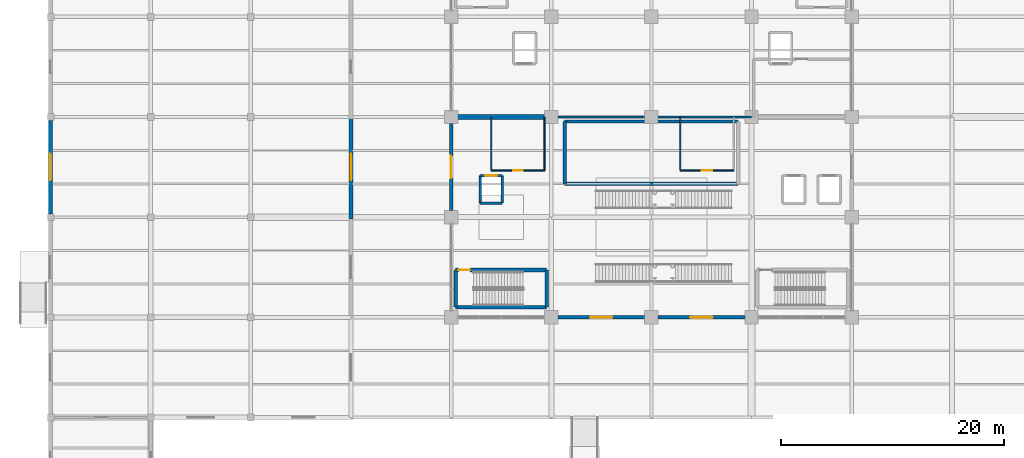
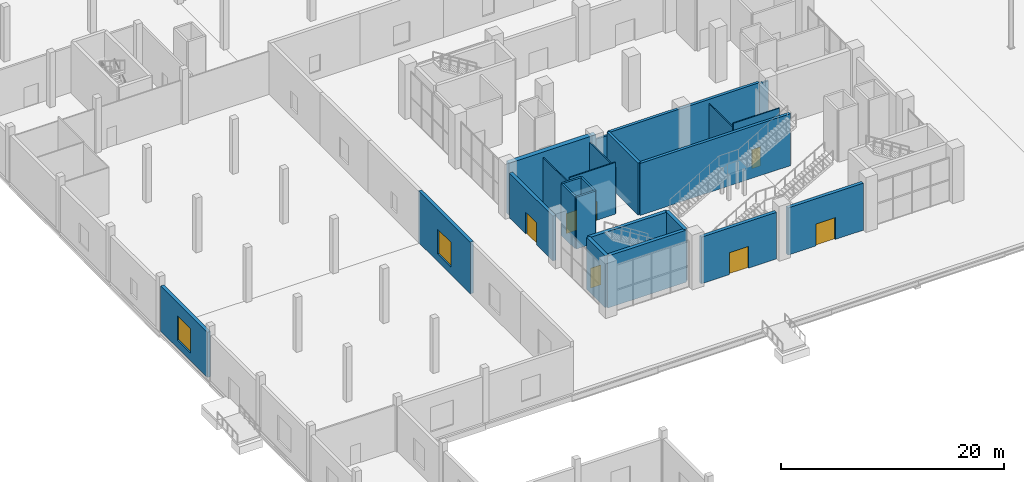
# One storey, part 124 of 144: 24 walls, 7 doors, 2 windows, 9 openings.
"""IFC4 building model written with IfcOpenShell, lengths in metres."""

from ifc_helpers import new_model, si_unit, direction, frame, frame_2d, origin, place, context, subcontext, project, spatial, rectangle, extrude, material, layer, layer_set, type_object, element, fill, save


model = new_model("IFC4")

# Units and contexts
model_context = context("Model", 3, precision=1e-05, world=origin(), true_north=direction((0.0, 1.0)))
body_context = subcontext(model_context, "Body", "Model", "MODEL_VIEW")
ifc_project = project(units=[si_unit("LENGTHUNIT", "METRE"), si_unit("AREAUNIT", "SQUARE_METRE"), si_unit("VOLUMEUNIT", "CUBIC_METRE"), si_unit("PLANEANGLEUNIT", "RADIAN"), si_unit("MASSUNIT", "GRAM", prefix="KILO")], contexts=[model_context])

# Site, building, storey
site_placement = place(None, origin())
site = spatial("IfcSite", under=ifc_project, at=site_placement, CompositionType="ELEMENT")
building_placement = place(site_placement, origin())
building = spatial("IfcBuilding", under=site, at=building_placement, Name="Sundgate Opera House", CompositionType="ELEMENT")
storey_placement = place(building_placement, origin())
storey = spatial("IfcBuildingStorey", under=building, at=storey_placement, Name="L00", CompositionType="ELEMENT", Elevation=0.0)

# Wall
ifc_material_1 = material(Name="Concrete C40/50", Category="concrete")
ifc_layer_1 = layer(ifc_material_1, 0.35009765625)
ifc_layer_set_1 = layer_set([ifc_layer_1], Name="Concrete C40/50")
wall_type_1 = type_object("IfcWallType", Name="WL-CORE-350", PredefinedType="SHEAR", material=ifc_layer_set_1)
wall_1_placement = place(storey_placement, frame((36.409912109375, 42.909912109375, 0.0), z_axis=(0.0, 0.0, 1.0), x_axis=(1.0, 0.0, 0.0)))
element("IfcWall", 1, at=wall_1_placement, inside=storey, type_object=wall_type_1, Name="L00 C1 South Shaft Wall", PredefinedType="SHEAR", context=body_context, shape_type="SweptSolid", body=[
    extrude(rectangle(XDim=8.18017578125, YDim=0.35009765625, at=frame_2d((4.090087890625, 0.0))), origin(), (0.0, 0.0, 1.0), 5.699951171875),
])

# Wall, opening, door
wall_2_placement = place(storey_placement, frame((36.409912109375, 46.239990234375, 0.0), z_axis=(0.0, 0.0, 1.0), x_axis=(1.0, 0.0, 0.0)))
wall_2 = element("IfcWall", 2, at=wall_2_placement, inside=storey, type_object=wall_type_1, Name="L00 C1 North Shaft Wall", PredefinedType="SHEAR", context=body_context, shape_type="SweptSolid", body=[
    extrude(rectangle(XDim=8.18017578125, YDim=0.35009765625, at=frame_2d((4.090087890625, 0.0))), origin(), (0.0, 0.0, 1.0), 5.699951171875),
])
opening_1_placement = place(wall_2_placement, frame((0.239990234375, 0.0, 0.0)))
opening_1 = element("IfcOpeningElement", 3, at=opening_1_placement, cuts=wall_2, Name="Opening DI01", PredefinedType="OPENING", context=body_context, shape_type="SweptSolid", body=[
    extrude(rectangle(XDim=1.050048828125, YDim=2.179931640625, at=frame_2d((0.52490234375, 1.08984375))), frame((0.0, 0.18505859375, 0.0), z_axis=(0.0, -1.0, 0.0), x_axis=(1.0, 0.0, 0.0)), (0.0, 0.0, 1.0), 0.3701171875),
])
ifc_material_2 = material(Name="Acoustic hardwood timber and steel core", Category="steel")
door_type_1 = type_object("IfcDoorType", Name="DR-STAIR-1050x2180", OperationType="NOTDEFINED", PredefinedType="DOOR", material=ifc_material_2)
door_1_placement = place(opening_1_placement, origin())
door_1 = element("IfcDoor", 4, at=door_1_placement, inside=storey, type_object=door_type_1, Name="L00 C1 Stair Door D0026", OperationType="SINGLE_SWING_RIGHT", OverallHeight=2.179931640625, OverallWidth=1.050048828125, PredefinedType="DOOR", context=body_context, shape_type="SweptSolid", body=[
    extrude(rectangle(XDim=1.050048828125, YDim=2.179931640625, at=frame_2d((0.52490234375, 1.08984375))), frame((0.0, 0.02490234375, 0.0), z_axis=(0.0, -1.0, 0.0), x_axis=(1.0, 0.0, 0.0)), (0.0, 0.0, 1.0), 0.050048828125),
])
fill(opening_1, door_1)

# Walls
for number, where, z_axis, x_axis, name in (
    (5, (36.409912109375, 42.909912109375, 0.0), (0.0, 0.0, 1.0), (0.0, 1.0, 0.0), "L00 C1 West Shaft Wall"),
    (6, (44.590087890625, 42.909912109375, 0.0), (0.0, 0.0, 1.0), (0.0, 1.0, 0.0), "L00 C1 East Shaft Wall"),
):
    element("IfcWall", number, at=place(storey_placement, frame(where, z_axis=z_axis, x_axis=x_axis)), inside=storey, type_object=wall_type_1, Name=name, PredefinedType="SHEAR", context=body_context, shape_type="SweptSolid", body=[
        extrude(rectangle(XDim=3.330078125, YDim=0.35009765625, at=frame_2d((1.6650390625, 0.0))), origin(), (0.0, 0.0, 1.0), 5.699951171875),
    ])

# Wall, opening, door
ifc_material_3 = material(Name="Komstad limestone ashlar masonry", Category="masonry")
ifc_layer_2 = layer(ifc_material_3, 0.340087890625)
ifc_layer_set_2 = layer_set([ifc_layer_2], Name="Komstad limestone ashlar masonry")
wall_type_2 = type_object("IfcWallType", Name="WL-EXT-COLON-340", PredefinedType="SOLIDWALL", material=ifc_layer_set_2)
wall_3_placement = place(storey_placement, frame((53.405029296875, 42.0, 0.0), z_axis=(0.0, 0.0, 1.0), x_axis=(-1.0, 0.0, 0.0)))
wall_3 = element("IfcWall", 7, at=wall_3_placement, inside=storey, type_object=wall_type_2, Name="L00 Foyer South Portal W0036", PredefinedType="SOLIDWALL", context=body_context, shape_type="SweptSolid", body=[
    extrude(rectangle(XDim=7.81005859375, YDim=0.340087890625, at=frame_2d((3.905029296875, 0.0))), origin(), (0.0, 0.0, 1.0), 5.114990234375),
])
opening_2_placement = place(wall_3_placement, frame((2.905029296875, 0.0, 0.0)))
opening_2 = element("IfcOpeningElement", 8, at=opening_2_placement, cuts=wall_3, Name="Opening DE1", PredefinedType="OPENING", context=body_context, shape_type="SweptSolid", body=[
    extrude(rectangle(XDim=2.0, YDim=2.39990234375, at=frame_2d((1.0, 1.199951171875))), frame((0.0, 0.179931640625, 0.0), z_axis=(0.0, -1.0, 0.0), x_axis=(1.0, 0.0, 0.0)), (0.0, 0.0, 1.0), 0.360107421875),
])
ifc_material_4 = material(Name="Patinated bronze and laminated safety glass", Category="glass")
door_type_2 = type_object("IfcDoorType", Name="DR-EXIT-2000x2400", OperationType="NOTDEFINED", PredefinedType="DOOR", material=ifc_material_4)
door_2_placement = place(opening_2_placement, origin())
door_2 = element("IfcDoor", 9, at=door_2_placement, inside=storey, type_object=door_type_2, Name="L00 Final Exit Door E1", OperationType="DOUBLE_DOOR_SINGLE_SWING", OverallHeight=2.39990234375, OverallWidth=2.0, PredefinedType="DOOR", context=body_context, shape_type="SweptSolid", body=[
    extrude(rectangle(XDim=2.0, YDim=2.39990234375, at=frame_2d((1.0, 1.199951171875))), frame((0.0, 0.02490234375, 0.0), z_axis=(0.0, -1.0, 0.0), x_axis=(1.0, 0.0, 0.0)), (0.0, 0.0, 1.0), 0.050048828125),
])
fill(opening_2, door_2)

wall_4_placement = place(storey_placement, frame((62.405029296875, 42.0, 0.0), z_axis=(0.0, 0.0, 1.0), x_axis=(-1.0, 0.0, 0.0)))
wall_4 = element("IfcWall", 10, at=wall_4_placement, inside=storey, type_object=wall_type_2, Name="L00 Foyer South Portal W0037", PredefinedType="SOLIDWALL", context=body_context, shape_type="SweptSolid", body=[
    extrude(rectangle(XDim=7.81005859375, YDim=0.340087890625, at=frame_2d((3.905029296875, 0.0))), origin(), (0.0, 0.0, 1.0), 5.1650390625),
])
opening_3_placement = place(wall_4_placement, frame((2.905029296875, 0.0, 0.0)))
opening_3 = element("IfcOpeningElement", 11, at=opening_3_placement, cuts=wall_4, Name="Opening DE1", PredefinedType="OPENING", context=body_context, shape_type="SweptSolid", body=[
    extrude(rectangle(XDim=2.0, YDim=2.39990234375, at=frame_2d((1.0, 1.199951171875))), frame((0.0, 0.179931640625, 0.0), z_axis=(0.0, -1.0, 0.0), x_axis=(1.0, 0.0, 0.0)), (0.0, 0.0, 1.0), 0.360107421875),
])
door_3_placement = place(opening_3_placement, origin())
door_3 = element("IfcDoor", 12, at=door_3_placement, inside=storey, type_object=door_type_2, Name="L00 Final Exit Door E2", OperationType="DOUBLE_DOOR_SINGLE_SWING", OverallHeight=2.39990234375, OverallWidth=2.0, PredefinedType="DOOR", context=body_context, shape_type="SweptSolid", body=[
    extrude(rectangle(XDim=2.0, YDim=2.39990234375, at=frame_2d((1.0, 1.199951171875))), frame((0.0, 0.02490234375, 0.0), z_axis=(0.0, -1.0, 0.0), x_axis=(1.0, 0.0, 0.0)), (0.0, 0.0, 1.0), 0.050048828125),
])
fill(opening_3, door_3)

wall_5_placement = place(storey_placement, frame((36.0, 59.405029296875, 0.0), z_axis=(0.0, 0.0, 1.0), x_axis=(0.0, -1.0, 0.0)))
wall_5 = element("IfcWall", 13, at=wall_5_placement, inside=storey, type_object=wall_type_2, Name="L00 Foyer West Portal W0040", PredefinedType="SOLIDWALL", context=body_context, shape_type="SweptSolid", body=[
    extrude(rectangle(XDim=7.81005859375, YDim=0.340087890625, at=frame_2d((3.905029296875, 0.0))), origin(), (0.0, 0.0, 1.0), 4.9150390625),
])
opening_4_placement = place(wall_5_placement, frame((2.905029296875, 0.0, 0.0)))
opening_4 = element("IfcOpeningElement", 14, at=opening_4_placement, cuts=wall_5, Name="Opening DE1", PredefinedType="OPENING", context=body_context, shape_type="SweptSolid", body=[
    extrude(rectangle(XDim=2.0, YDim=2.39990234375, at=frame_2d((1.0, 1.199951171875))), frame((0.0, 0.179931640625, 0.0), z_axis=(0.0, -1.0, 0.0), x_axis=(1.0, 0.0, 0.0)), (0.0, 0.0, 1.0), 0.360107421875),
])
door_4_placement = place(opening_4_placement, origin())
door_4 = element("IfcDoor", 15, at=door_4_placement, inside=storey, type_object=door_type_2, Name="L00 Final Exit Door E5", OperationType="DOUBLE_DOOR_SINGLE_SWING", OverallHeight=2.39990234375, OverallWidth=2.0, PredefinedType="DOOR", context=body_context, shape_type="SweptSolid", body=[
    extrude(rectangle(XDim=2.0, YDim=2.39990234375, at=frame_2d((1.0, 1.199951171875))), frame((0.0, 0.02490234375, 0.0), z_axis=(0.0, -1.0, 0.0), x_axis=(1.0, 0.0, 0.0)), (0.0, 0.0, 1.0), 0.050048828125),
])
fill(opening_4, door_4)

# Wall, opening, window
wall_6_placement = place(storey_placement, frame((0.0, 51.294921875, 0.0), z_axis=(0.0, 0.0, 1.0), x_axis=(0.0, 1.0, 0.0)))
wall_6 = element("IfcWall", 16, at=wall_6_placement, inside=storey, type_object=wall_type_2, Name="L00 Harbour Bistro West Wall W0314", PredefinedType="SOLIDWALL", context=body_context, shape_type="SweptSolid", body=[
    extrude(rectangle(XDim=8.41015625, YDim=0.340087890625, at=frame_2d((4.205078125, 0.0))), origin(), (0.0, 0.0, 1.0), 4.965087890625),
])
opening_5_placement = place(wall_6_placement, frame((3.0048828125, 0.0, 0.85009765625)))
opening_5 = element("IfcOpeningElement", 17, at=opening_5_placement, cuts=wall_6, Name="Opening W07", PredefinedType="OPENING", context=body_context, shape_type="SweptSolid", body=[
    extrude(rectangle(XDim=2.39990234375, YDim=2.699951171875, at=frame_2d((1.199951171875, 1.35009765625))), frame((0.0, 0.179931640625, 0.0), z_axis=(0.0, -1.0, 0.0), x_axis=(1.0, 0.0, 0.0)), (0.0, 0.0, 1.0), 0.360107421875),
])
ifc_material_5 = material(Name="Low-iron triple glazing in patinated bronze frame", Category="glass")
window_type = type_object("IfcWindowType", Name="WN-HARB-2400x2700", PartitioningType="SINGLE_PANEL", PredefinedType="WINDOW", material=ifc_material_5)
window_1_placement = place(opening_5_placement, origin())
window_1 = element("IfcWindow", 18, at=window_1_placement, inside=storey, type_object=window_type, Name="L00 Harbour Window WN0231", OverallHeight=2.699951171875, OverallWidth=2.39990234375, PartitioningType="SINGLE_PANEL", PredefinedType="WINDOW", context=body_context, shape_type="SweptSolid", body=[
    extrude(rectangle(XDim=2.39990234375, YDim=2.699951171875, at=frame_2d((1.199951171875, 1.35009765625))), frame((0.0, 0.030029296875, 0.0), z_axis=(0.0, -1.0, 0.0), x_axis=(1.0, 0.0, 0.0)), (0.0, 0.0, 1.0), 0.06005859375),
])
fill(opening_5, window_1)

wall_7_placement = place(storey_placement, frame((27.0, 50.840087890625, 0.0), z_axis=(0.0, 0.0, 1.0), x_axis=(0.0, 1.0, 0.0)))
wall_7 = element("IfcWall", 19, at=wall_7_placement, inside=storey, type_object=wall_type_2, Name="L00 Harbour Bistro East Wall W0319", PredefinedType="SOLIDWALL", context=body_context, shape_type="SweptSolid", body=[
    extrude(rectangle(XDim=9.31982421875, YDim=0.340087890625, at=frame_2d((4.659912109375, 0.0))), origin(), (0.0, 0.0, 1.0), 5.6650390625),
])
opening_6_placement = place(wall_7_placement, frame((3.4599609375, 0.0, 0.85009765625)))
opening_6 = element("IfcOpeningElement", 20, at=opening_6_placement, cuts=wall_7, Name="Opening W07", PredefinedType="OPENING", context=body_context, shape_type="SweptSolid", body=[
    extrude(rectangle(XDim=2.39990234375, YDim=2.699951171875, at=frame_2d((1.199951171875, 1.35009765625))), frame((0.0, 0.179931640625, 0.0), z_axis=(0.0, -1.0, 0.0), x_axis=(1.0, 0.0, 0.0)), (0.0, 0.0, 1.0), 0.360107421875),
])
window_2_placement = place(opening_6_placement, origin())
window_2 = element("IfcWindow", 21, at=window_2_placement, inside=storey, type_object=window_type, Name="L00 Harbour Window WN0236", OverallHeight=2.699951171875, OverallWidth=2.39990234375, PartitioningType="SINGLE_PANEL", PredefinedType="WINDOW", context=body_context, shape_type="SweptSolid", body=[
    extrude(rectangle(XDim=2.39990234375, YDim=2.699951171875, at=frame_2d((1.199951171875, 1.35009765625))), frame((0.0, 0.030029296875, 0.0), z_axis=(0.0, -1.0, 0.0), x_axis=(1.0, 0.0, 0.0)), (0.0, 0.0, 1.0), 0.06005859375),
])
fill(opening_6, window_2)

# Walls
ifc_material_6 = material(Name="Fire-rated corridor partition", Category="gypsum")
ifc_layer_3 = layer(ifc_material_6, 0.199951171875)
ifc_layer_set_3 = layer_set([ifc_layer_3], Name="Fire-rated corridor partition")
wall_type_3 = type_object("IfcWallType", Name="WL-INT-FIRE-200", PredefinedType="PARTITIONING", material=ifc_layer_set_3)
wall_8_placement = place(storey_placement, frame((45.0, 60.0, 0.0), z_axis=(0.0, 0.0, 1.0), x_axis=(1.0, 0.0, 0.0)))
element("IfcWall", 22, at=wall_8_placement, inside=storey, type_object=wall_type_3, Name="L00 Interior Partition W0994", PredefinedType="PARTITIONING", context=body_context, shape_type="SweptSolid", body=[
    extrude(rectangle(XDim=11.60009765625, YDim=0.199951171875, at=frame_2d((5.800048828125, 0.0))), origin(), (0.0, 0.0, 1.0), 5.06494140625),
])
wall_9_placement = place(storey_placement, frame((56.60009765625, 60.0, 0.0), z_axis=(0.0, 0.0, 1.0), x_axis=(1.0, 0.0, 0.0)))
element("IfcWall", 23, at=wall_9_placement, inside=storey, type_object=wall_type_3, Name="L00 Interior Partition W0995", PredefinedType="PARTITIONING", context=body_context, shape_type="SweptSolid", body=[
    extrude(rectangle(XDim=6.39990234375, YDim=0.199951171875, at=frame_2d((3.199951171875, 0.0))), origin(), (0.0, 0.0, 1.0), 5.22509765625),
])
ifc_material_7 = material(Name="Fire-rated gypsum and mineral-wool shaft partition", Category="gypsum")
ifc_layer_4 = layer(ifc_material_7, 0.219970703125)
ifc_layer_set_4 = layer_set([ifc_layer_4], Name="Fire-rated gypsum and mineral-wool shaft partition")
wall_type_4 = type_object("IfcWallType", Name="WL-INT-FIRE-220", PredefinedType="PARTITIONING", material=ifc_layer_set_4)
wall_10_placement = place(storey_placement, frame((38.610107421875, 52.260009765625, 0.0), z_axis=(0.0, 0.0, 1.0), x_axis=(1.0, 0.0, 0.0)))
element("IfcWall", 24, at=wall_10_placement, inside=storey, type_object=wall_type_4, Name="L00 LF-03 South Shaft Wall", PredefinedType="PARTITIONING", context=body_context, shape_type="SweptSolid", body=[
    extrude(rectangle(XDim=1.97998046875, YDim=0.219970703125, at=frame_2d((0.989990234375, 0.0))), origin(), (0.0, 0.0, 1.0), 5.6650390625),
])

# Wall, opening, door
wall_11_placement = place(storey_placement, frame((38.610107421875, 54.739990234375, 0.0), z_axis=(0.0, 0.0, 1.0), x_axis=(1.0, 0.0, 0.0)))
wall_11 = element("IfcWall", 25, at=wall_11_placement, inside=storey, type_object=wall_type_4, Name="L00 LF-03 North Shaft Wall", PredefinedType="PARTITIONING", context=body_context, shape_type="SweptSolid", body=[
    extrude(rectangle(XDim=1.97998046875, YDim=0.219970703125, at=frame_2d((0.989990234375, 0.0))), origin(), (0.0, 0.0, 1.0), 5.6650390625),
])
opening_7_placement = place(wall_11_placement, frame((0.43994140625, 0.0, 0.0)))
opening_7 = element("IfcOpeningElement", 26, at=opening_7_placement, cuts=wall_11, Name="Opening LD1", PredefinedType="OPENING", context=body_context, shape_type="SweptSolid", body=[
    extrude(rectangle(XDim=1.10009765625, YDim=2.179931640625, at=frame_2d((0.550048828125, 1.08984375))), frame((0.0, 0.119873046875, 0.0), z_axis=(0.0, -1.0, 0.0), x_axis=(1.0, 0.0, 0.0)), (0.0, 0.0, 1.0), 0.239990234375),
])
ifc_material_8 = material(Name="Brushed stainless steel EN 1.4301", Category="steel")
door_type_3 = type_object("IfcDoorType", Name="DR-LIFT-1100x2180", OperationType="DOUBLE_DOOR_SLIDING", PredefinedType="DOOR", material=ifc_material_8)
door_5_placement = place(opening_7_placement, origin())
door_5 = element("IfcDoor", 27, at=door_5_placement, inside=storey, type_object=door_type_3, Name="L00 LF-03 Landing Door D0107", OperationType="DOUBLE_DOOR_SLIDING", OverallHeight=2.179931640625, OverallWidth=1.10009765625, PredefinedType="DOOR", context=body_context, shape_type="SweptSolid", body=[
    extrude(rectangle(XDim=1.10009765625, YDim=2.179931640625, at=frame_2d((0.550048828125, 1.08984375))), frame((0.0, 0.02490234375, 0.0), z_axis=(0.0, -1.0, 0.0), x_axis=(1.0, 0.0, 0.0)), (0.0, 0.0, 1.0), 0.050048828125),
])
fill(opening_7, door_5)

# Walls
for number, where, z_axis, x_axis, name in (
    (28, (38.610107421875, 52.260009765625, 0.0), (0.0, 0.0, 1.0), (0.0, 1.0, 0.0), "L00 LF-03 West Shaft Wall"),
    (29, (40.590087890625, 52.260009765625, 0.0), (0.0, 0.0, 1.0), (0.0, 1.0, 0.0), "L00 LF-03 East Shaft Wall"),
):
    element("IfcWall", number, at=place(storey_placement, frame(where, z_axis=z_axis, x_axis=x_axis)), inside=storey, type_object=wall_type_4, Name=name, PredefinedType="PARTITIONING", context=body_context, shape_type="SweptSolid", body=[
        extrude(rectangle(XDim=2.47998046875, YDim=0.219970703125, at=frame_2d((1.239990234375, 0.0))), origin(), (0.0, 0.0, 1.0), 5.6650390625),
    ])

# Wall, opening, door
ifc_material_9 = material(Name="Moisture-resistant sanitary partition", Category="gypsum")
ifc_layer_5 = layer(ifc_material_9, 0.114990234375)
ifc_layer_set_5 = layer_set([ifc_layer_5], Name="Moisture-resistant sanitary partition")
wall_type_5 = type_object("IfcWallType", Name="WL-INT-WET-115", PredefinedType="PARTITIONING", material=ifc_layer_set_5)
wall_12_placement = place(storey_placement, frame((39.60009765625, 55.199951171875, 0.0), z_axis=(0.0, 0.0, 1.0), x_axis=(1.0, 0.0, 0.0)))
wall_12 = element("IfcWall", 30, at=wall_12_placement, inside=storey, type_object=wall_type_5, Name="L00 Interior Partition W0988", PredefinedType="PARTITIONING", context=body_context, shape_type="SweptSolid", body=[
    extrude(rectangle(XDim=4.7998046875, YDim=0.114990234375, at=frame_2d((2.39990234375, 0.0))), origin(), (0.0, 0.0, 1.0), 5.6650390625),
])
opening_8_placement = place(wall_12_placement, frame((1.9599609375, 0.0, 0.0)))
opening_8 = element("IfcOpeningElement", 31, at=opening_8_placement, cuts=wall_12, Name="Opening DI13", PredefinedType="OPENING", context=body_context, shape_type="SweptSolid", body=[
    extrude(rectangle(XDim=0.8798828125, YDim=2.06005859375, at=frame_2d((0.43994140625, 1.030029296875))), frame((0.0, 0.0673828125, 0.0), z_axis=(0.0, -1.0, 0.0), x_axis=(1.0, 0.0, 0.0)), (0.0, 0.0, 1.0), 0.135009765625),
])
ifc_material_10 = material(Name="Acoustic hardwood timber and steel core", Category="steel")
door_type_4 = type_object("IfcDoorType", Name="DR-WC-880x2060", OperationType="NOTDEFINED", PredefinedType="DOOR", material=ifc_material_10)
door_6_placement = place(opening_8_placement, origin())
door_6 = element("IfcDoor", 32, at=door_6_placement, inside=storey, type_object=door_type_4, Name="L00 Interior Door D0173", OperationType="SINGLE_SWING_RIGHT", OverallHeight=2.06005859375, OverallWidth=0.8798828125, PredefinedType="DOOR", context=body_context, shape_type="SweptSolid", body=[
    extrude(rectangle(XDim=0.8798828125, YDim=2.06005859375, at=frame_2d((0.43994140625, 1.030029296875))), frame((0.0, 0.02490234375, 0.0), z_axis=(0.0, -1.0, 0.0), x_axis=(1.0, 0.0, 0.0)), (0.0, 0.0, 1.0), 0.050048828125),
])
fill(opening_8, door_6)

# Walls
for number, where, z_axis, x_axis, name in (
    (33, (39.60009765625, 55.199951171875, 0.0), (0.0, 0.0, 1.0), (0.0, 1.0, 0.0), "L00 Interior Partition W0989"),
    (34, (44.39990234375, 55.199951171875, 0.0), (0.0, 0.0, 1.0), (0.0, 1.0, 0.0), "L00 Interior Partition W0990"),
):
    element("IfcWall", number, at=place(storey_placement, frame(where, z_axis=z_axis, x_axis=x_axis)), inside=storey, type_object=wall_type_5, Name=name, PredefinedType="PARTITIONING", context=body_context, shape_type="SweptSolid", body=[
        extrude(rectangle(XDim=4.800048828125, YDim=0.114990234375, at=frame_2d((2.39990234375, 0.0))), origin(), (0.0, 0.0, 1.0), 5.074951171875),
    ])

# Wall, opening, door
wall_13_placement = place(storey_placement, frame((56.60009765625, 55.199951171875, 0.0), z_axis=(0.0, 0.0, 1.0), x_axis=(1.0, 0.0, 0.0)))
wall_13 = element("IfcWall", 35, at=wall_13_placement, inside=storey, type_object=wall_type_5, Name="L00 Interior Partition W0991", PredefinedType="PARTITIONING", context=body_context, shape_type="SweptSolid", body=[
    extrude(rectangle(XDim=4.7998046875, YDim=0.114990234375, at=frame_2d((2.39990234375, 0.0))), origin(), (0.0, 0.0, 1.0), 5.6650390625),
])
opening_9_placement = place(wall_13_placement, frame((1.93994140625, 0.0, 0.0)))
opening_9 = element("IfcOpeningElement", 36, at=opening_9_placement, cuts=wall_13, Name="Opening DI12", PredefinedType="OPENING", context=body_context, shape_type="SweptSolid", body=[
    extrude(rectangle(XDim=0.919921875, YDim=2.080078125, at=frame_2d((0.4599609375, 1.0400390625))), frame((0.0, 0.0673828125, 0.0), z_axis=(0.0, -1.0, 0.0), x_axis=(1.0, 0.0, 0.0)), (0.0, 0.0, 1.0), 0.135009765625),
])
ifc_material_11 = material(Name="Acoustic hardwood timber and steel core", Category="steel")
door_type_5 = type_object("IfcDoorType", Name="DR-WC-920x2080", OperationType="NOTDEFINED", PredefinedType="DOOR", material=ifc_material_11)
door_7_placement = place(opening_9_placement, origin())
door_7 = element("IfcDoor", 37, at=door_7_placement, inside=storey, type_object=door_type_5, Name="L00 Interior Door D0174", OperationType="SINGLE_SWING_LEFT", OverallHeight=2.080078125, OverallWidth=0.919921875, PredefinedType="DOOR", context=body_context, shape_type="SweptSolid", body=[
    extrude(rectangle(XDim=0.919921875, YDim=2.080078125, at=frame_2d((0.4599609375, 1.0400390625))), frame((0.0, 0.02490234375, 0.0), z_axis=(0.0, -1.0, 0.0), x_axis=(1.0, 0.0, 0.0)), (0.0, 0.0, 1.0), 0.050048828125),
])
fill(opening_9, door_7)

# Walls
wall_14_placement = place(storey_placement, frame((56.60009765625, 55.199951171875, 0.0), z_axis=(0.0, 0.0, 1.0), x_axis=(0.0, 1.0, 0.0)))
element("IfcWall", 38, at=wall_14_placement, inside=storey, type_object=wall_type_5, Name="L00 Interior Partition W0992", PredefinedType="PARTITIONING", context=body_context, shape_type="SweptSolid", body=[
    extrude(rectangle(XDim=4.800048828125, YDim=0.114990234375, at=frame_2d((2.39990234375, 0.0))), origin(), (0.0, 0.0, 1.0), 5.22509765625),
])
ifc_material_12 = material(Name="Concrete C40/50", Category="concrete")
ifc_layer_6 = layer(ifc_material_12, 0.47998046875)
ifc_layer_set_6 = layer_set([ifc_layer_6], Name="Concrete C40/50")
wall_type_6 = type_object("IfcWallType", Name="WL-PROS-480", PredefinedType="SHEAR", material=ifc_layer_set_6)
wall_15_placement = place(storey_placement, frame((36.0, 60.0, 0.0), z_axis=(0.0, 0.0, 1.0), x_axis=(1.0, 0.0, 0.0)))
element("IfcWall", 39, at=wall_15_placement, inside=storey, type_object=wall_type_6, Name="L00 Proscenium Shear Wall W0010", PredefinedType="SHEAR", context=body_context, shape_type="SweptSolid", body=[
    extrude(rectangle(XDim=9.0, YDim=0.47998046875, at=frame_2d((4.5, 0.0))), origin(), (0.0, 0.0, 1.0), 5.699951171875),
])
ifc_material_13 = material(Name="Concrete C35/45", Category="concrete")
ifc_layer_7 = layer(ifc_material_13, 0.2900390625)
ifc_layer_set_7 = layer_set([ifc_layer_7], Name="Concrete C35/45")
wall_type_7 = type_object("IfcWallType", Name="WL-SHFT-290", PredefinedType="SHEAR", material=ifc_layer_set_7)
for number, where, z_axis, x_axis, name in (
    (40, (46.199951171875, 54.0, 0.0), (0.0, 0.0, 1.0), (1.0, 0.0, 0.0), "L00 Orchestra Pit Support Wall W0028"),
    (41, (46.199951171875, 59.60009765625, 0.0), (0.0, 0.0, 1.0), (1.0, 0.0, 0.0), "L00 Orchestra Pit Support Wall W0029"),
):
    element("IfcWall", number, at=place(storey_placement, frame(where, z_axis=z_axis, x_axis=x_axis)), inside=storey, type_object=wall_type_7, Name=name, PredefinedType="SHEAR", context=body_context, shape_type="SweptSolid", body=[
        extrude(rectangle(XDim=15.60009765625, YDim=0.2900390625, at=frame_2d((7.800048828125, 0.0))), origin(), (0.0, 0.0, 1.0), 5.699951171875),
    ])
wall_16_placement = place(storey_placement, frame((46.199951171875, 54.0, 0.0), z_axis=(0.0, 0.0, 1.0), x_axis=(0.0, 1.0, 0.0)))
element("IfcWall", 42, at=wall_16_placement, inside=storey, type_object=wall_type_7, Name="L00 Orchestra Pit Support Wall W0030", PredefinedType="SHEAR", context=body_context, shape_type="SweptSolid", body=[
    extrude(rectangle(XDim=5.60009765625, YDim=0.2900390625, at=frame_2d((2.800048828125, 0.0))), origin(), (0.0, 0.0, 1.0), 5.699951171875),
])

save(model, "model.ifc")
